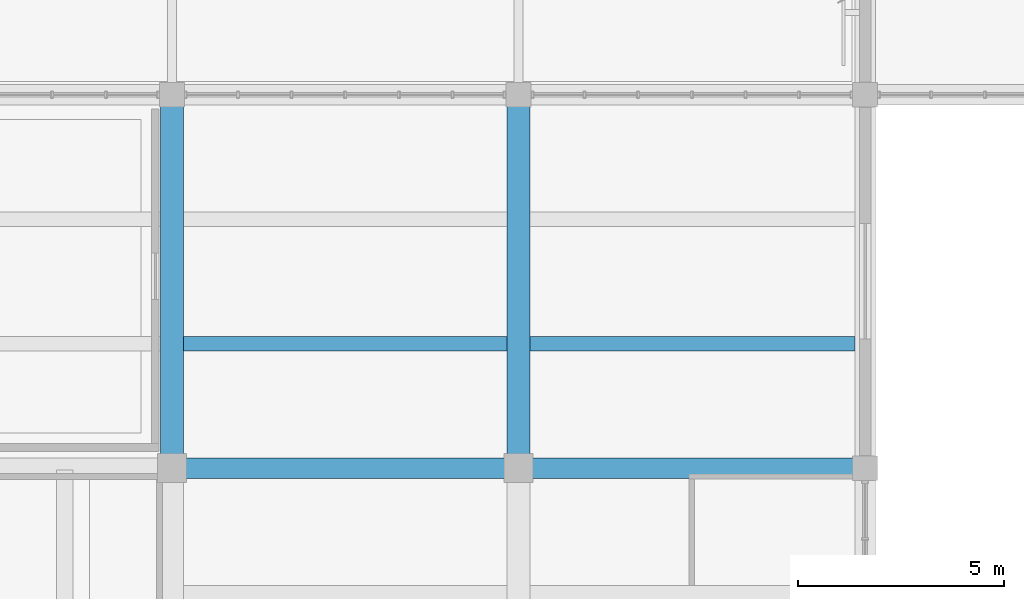
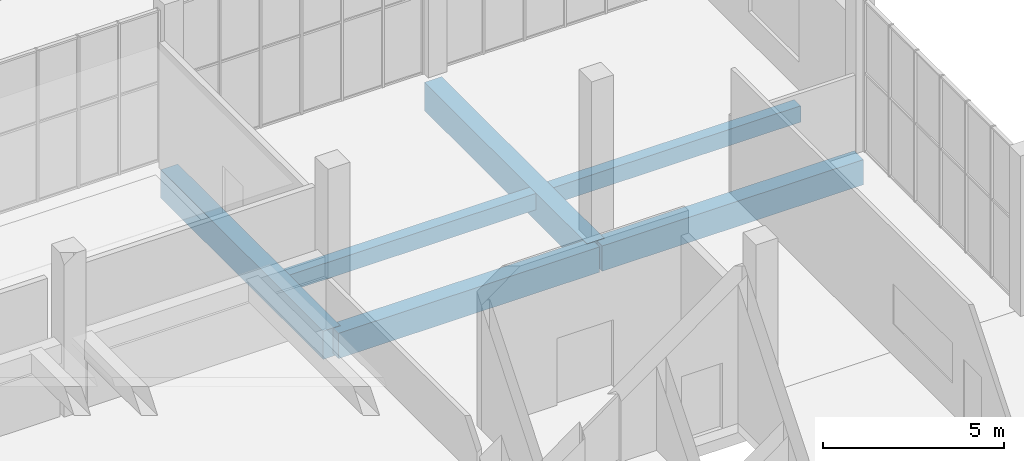
# One storey, part 50 of 132: 6 beams.
"""IFC4 building model written with IfcOpenShell, lengths in metres."""

from ifc_helpers import new_model, si_unit, direction, frame, origin, origin_2d, place, context, subcontext, project, spatial, rectangle, extrude, material, material_profile, profile_set, type_object, element, save


model = new_model("IFC4")

# Units and contexts
model_context = context("Model", 3, precision=1e-05, world=origin(), true_north=direction((0.0, 1.0)))
body_context = subcontext(model_context, "Body", "Model", "MODEL_VIEW")
ifc_project = project(units=[si_unit("LENGTHUNIT", "METRE"), si_unit("AREAUNIT", "SQUARE_METRE"), si_unit("VOLUMEUNIT", "CUBIC_METRE"), si_unit("PLANEANGLEUNIT", "RADIAN"), si_unit("MASSUNIT", "GRAM", prefix="KILO")], contexts=[model_context])

# Site, building, storey
site_placement = place(None, origin())
site = spatial("IfcSite", under=ifc_project, at=site_placement, CompositionType="ELEMENT")
building_placement = place(site_placement, origin())
building = spatial("IfcBuilding", under=site, at=building_placement, Name="Khurvash Pelagic Aquarium", CompositionType="ELEMENT")
storey_placement = place(building_placement, frame((0.0, 0.0, 5.39990234375)))
storey = spatial("IfcBuildingStorey", under=building, at=storey_placement, Name="L01", CompositionType="ELEMENT", Elevation=5.39990234375)

# Beams
ifc_material_1 = material(Name="Concrete C40/50", Category="concrete")
ifc_material_profile_1 = material_profile(ifc_material_1, rectangle(XDim=0.550048828125, YDim=0.949951171875, at=origin_2d()), Name="RC550X950")
ifc_profile_set_1 = profile_set([ifc_material_profile_1], Name="Concrete C40/50")
beam_type_1 = type_object("IfcBeamType", Name="BM-02", PredefinedType="BEAM", material=ifc_profile_set_1)
for number, where, z_axis, x_axis, name in (
    (1, (16.800048828125, 84.090087890625, -0.784912109375), (0.0, 1.0, 0.0), (-1.0, 0.0, 0.0), "L01 Primary Girder BM-02 00358"),
    (2, (25.199951171875, 84.090087890625, -0.784912109375), (0.0, 1.0, 0.0), (-1.0, 0.0, 0.0), "L01 Primary Girder BM-02 00368"),
):
    element("IfcBeam", number, at=place(storey_placement, frame(where, z_axis=z_axis, x_axis=x_axis)), inside=storey, type_object=beam_type_1, Name=name, PredefinedType="BEAM", context=body_context, shape_type="SweptSolid", body=[
        extrude(rectangle(XDim=0.550048828125, YDim=0.949951171875, at=origin_2d()), origin(), (0.0, 0.0, 1.0), 8.969970703125),
    ])
ifc_material_profile_2 = material_profile(ifc_material_1, rectangle(XDim=0.5, YDim=0.85009765625, at=origin_2d()), Name="RC500X850")
ifc_profile_set_2 = profile_set([ifc_material_profile_2], Name="Concrete C40/50")
beam_type_2 = type_object("IfcBeamType", Name="BM-03", PredefinedType="BEAM", material=ifc_profile_set_2)
beam_1_placement = place(storey_placement, frame((16.840087890625, 84.050048828125, -0.744873046875), z_axis=(1.0, 0.0, 0.0), x_axis=(0.0, 1.0, 0.0)))
element("IfcBeam", 3, at=beam_1_placement, inside=storey, type_object=beam_type_2, Name="L01 Primary Girder BM-03 00308", PredefinedType="BEAM", context=body_context, shape_type="SweptSolid", body=[
    extrude(rectangle(XDim=0.5, YDim=0.85009765625, at=origin_2d()), origin(), (0.0, 0.0, 1.0), 8.31982421875),
])
beam_2_placement = place(storey_placement, frame((25.239990234375, 84.050048828125, -0.744873046875), z_axis=(1.0, 0.0, 0.0), x_axis=(0.0, 1.0, 0.0)))
element("IfcBeam", 4, at=beam_2_placement, inside=storey, type_object=beam_type_2, Name="L01 Primary Girder BM-03 00309", PredefinedType="BEAM", context=body_context, shape_type="SweptSolid", body=[
    extrude(rectangle(XDim=0.5, YDim=0.85009765625, at=origin_2d()), origin(), (0.0, 0.0, 1.0), 8.320068359375),
])
ifc_material_2 = material(Name="Concrete C35/45", Category="concrete")
ifc_material_profile_3 = material_profile(ifc_material_2, rectangle(XDim=0.35009765625, YDim=0.550048828125, at=origin_2d()), Name="RC350X550")
ifc_profile_set_3 = profile_set([ifc_material_profile_3], Name="Concrete C35/45")
beam_type_3 = type_object("IfcBeamType", Name="JS-01", PredefinedType="JOIST", material=ifc_profile_set_3)
beam_3_placement = place(storey_placement, frame((17.074951171875, 87.06689453125, -0.5849609375), z_axis=(1.0, 0.0, 0.0), x_axis=(0.0, 1.0, 0.0)))
element("IfcBeam", 5, at=beam_3_placement, inside=storey, type_object=beam_type_3, Name="L01 Floor Joist JS-01 00456", PredefinedType="JOIST", context=body_context, shape_type="SweptSolid", body=[
    extrude(rectangle(XDim=0.35009765625, YDim=0.550048828125, at=origin_2d()), origin(), (0.0, 0.0, 1.0), 7.85009765625),
])
beam_4_placement = place(storey_placement, frame((25.47509765625, 87.06689453125, -0.5849609375), z_axis=(1.0, 0.0, 0.0), x_axis=(0.0, 1.0, 0.0)))
element("IfcBeam", 6, at=beam_4_placement, inside=storey, type_object=beam_type_3, Name="L01 Floor Joist JS-01 00474", PredefinedType="JOIST", context=body_context, shape_type="SweptSolid", body=[
    extrude(rectangle(XDim=0.35009765625, YDim=0.550048828125, at=origin_2d()), origin(), (0.0, 0.0, 1.0), 7.875),
])

save(model, "model.ifc")
